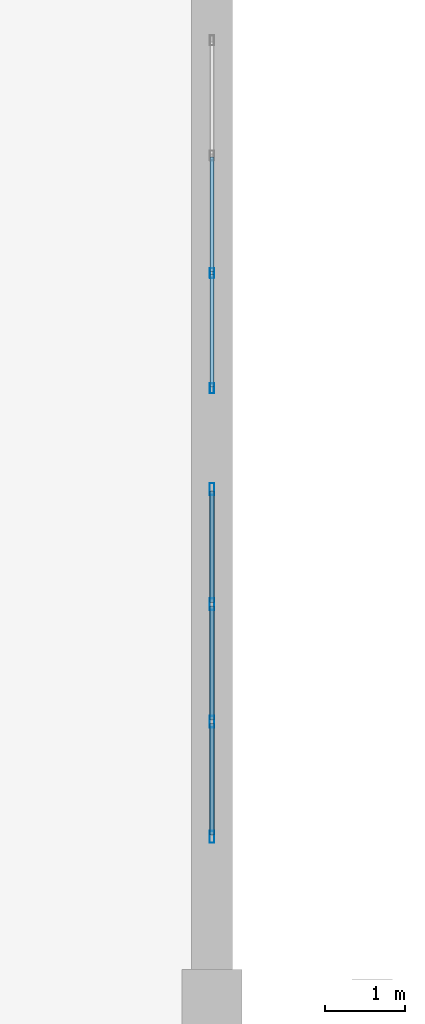
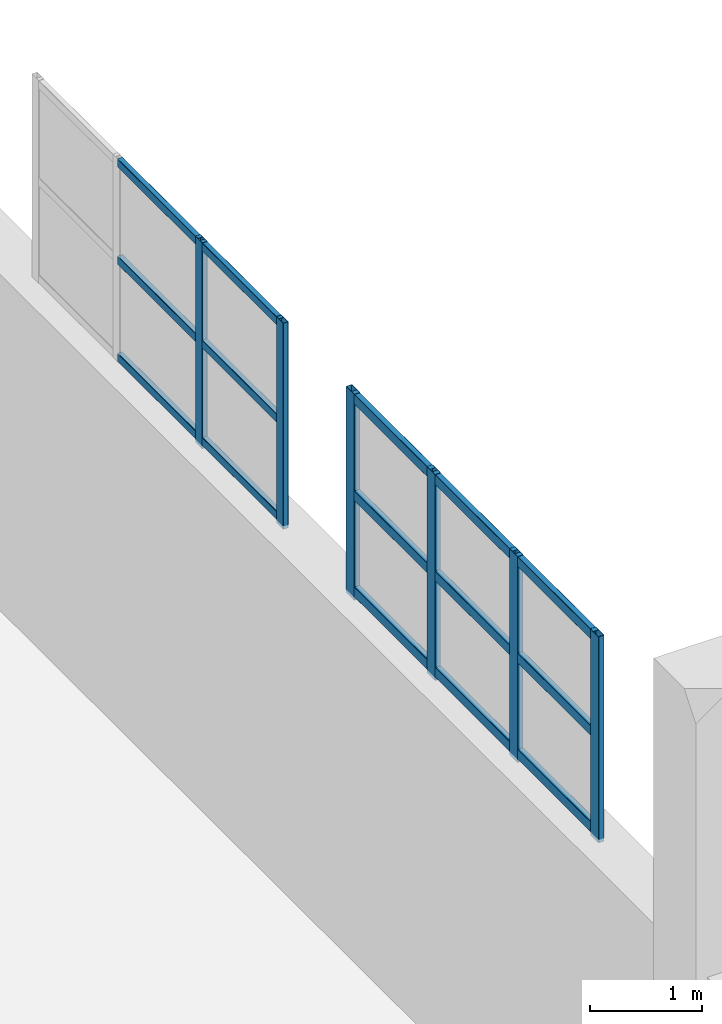
# One storey, part 139 of 197: 21 members, 2 elements without a shape of their own.
"""IFC4 building model written with IfcOpenShell, lengths in metres."""

from ifc_helpers import new_model, si_unit, derived_unit, direction, frame, origin, origin_2d, place, context, subcontext, project, spatial, hollow_rectangle, extrude, material, layer, layer_set, material_profile, profile_set, type_object, element, aggregate, save


model = new_model("IFC4")

# Units and contexts
model_context = context("Model", 3, precision=1e-05, world=origin(), true_north=direction((0.0, 1.0)))
body_context = subcontext(model_context, "Body", "Model", "MODEL_VIEW")
ifc_project = project(units=[si_unit("LENGTHUNIT", "METRE"), si_unit("AREAUNIT", "SQUARE_METRE"), si_unit("VOLUMEUNIT", "CUBIC_METRE"), si_unit("PLANEANGLEUNIT", "RADIAN"), si_unit("MASSUNIT", "GRAM", prefix="KILO"), derived_unit("THERMALTRANSMITTANCEUNIT", [(si_unit("POWERUNIT", "WATT"), 1), (si_unit("LENGTHUNIT", "METRE"), -2), (si_unit("THERMODYNAMICTEMPERATUREUNIT", "KELVIN"), -1)])], contexts=[model_context])

# Site, building, storey
site_placement = place(None, origin())
site = spatial("IfcSite", under=ifc_project, at=site_placement, CompositionType="ELEMENT")
building_placement = place(site_placement, origin())
building = spatial("IfcBuilding", under=site, at=building_placement, Name="Almenara Railside Exhibition Hall", CompositionType="ELEMENT")
storey_placement = place(building_placement, frame((0.0, 0.0, 5.39990234375)))
storey = spatial("IfcBuildingStorey", under=building, at=storey_placement, Name="L01", CompositionType="ELEMENT", Elevation=5.39990234375)

# Curtain wall, members
ifc_material_1 = material(Name="Bronze-anodised aluminium and low-E double glazing", Category="aluminium")
ifc_layer = layer(ifc_material_1, 0.179931640625, Name="Bronze-anodised aluminium and low-E double glazing")
ifc_layer_set = layer_set([ifc_layer], Name="Bronze-anodised aluminium and low-E double glazing")
curtain_wall_type = type_object("IfcCurtainWallType", Name="East Hall Clerestory Curtain Wall 4400x2300", PredefinedType="NOTDEFINED", material=ifc_layer_set)
curtain_wall_1_placement = place(storey_placement, origin())
curtain_wall_1 = element("IfcCurtainWall", 1, at=curtain_wall_1_placement, inside=storey, type_object=curtain_wall_type, Name="Curtain wall CW-CL3-078", PredefinedType="NOTDEFINED")
ifc_material_2 = material(Name="Bronze-anodised aluminium", Category="aluminium")
ifc_material_profile_1 = material_profile(ifc_material_2, hollow_rectangle(XDim=0.054931640625, YDim=0.125, WallThickness=0.0029296875, InnerFilletRadius=0.0029296875, OuterFilletRadius=0.006103515625, at=origin_2d()), Name="ALU-MUL 55x125x3")
ifc_profile_set_1 = profile_set([ifc_material_profile_1], Name="Bronze-anodised aluminium")
member_type_1 = type_object("IfcMemberType", Name="Curtain Wall Mullion 55x125x3", PredefinedType="MULLION", material=ifc_profile_set_1)
member_1_placement = place(storey_placement, frame((192.0, 125.62744140625, 3.614990234375), z_axis=(0.0, 0.0, 1.0), x_axis=(-1.0, 0.0, 0.0)))
member_1 = element("IfcMember", 2, at=member_1_placement, type_object=member_type_1, Name="CW-CL3-078 mullion 1", PredefinedType="MULLION", context=body_context, shape_type="SweptSolid", body=[
    extrude(hollow_rectangle(XDim=0.054931640625, YDim=0.125, WallThickness=0.0029296875, InnerFilletRadius=0.0029296875, OuterFilletRadius=0.006103515625, at=origin_2d()), origin(), (0.0, 0.0, 1.0), 2.235107421875),
])
member_2_placement = place(storey_placement, frame((192.0, 127.066650390625, 3.614990234375), z_axis=(0.0, 0.0, 1.0), x_axis=(-1.0, 0.0, 0.0)))
member_2 = element("IfcMember", 3, at=member_2_placement, type_object=member_type_1, Name="CW-CL3-078 mullion 2", PredefinedType="MULLION", context=body_context, shape_type="SweptSolid", body=[
    extrude(hollow_rectangle(XDim=0.054931640625, YDim=0.125, WallThickness=0.0029296875, InnerFilletRadius=0.0029296875, OuterFilletRadius=0.006103515625, at=origin_2d()), origin(), (0.0, 0.0, 1.0), 2.235107421875),
])

curtain_wall_2_placement = place(storey_placement, origin())
curtain_wall_2 = element("IfcCurtainWall", 4, at=curtain_wall_2_placement, inside=storey, type_object=curtain_wall_type, Name="Curtain wall CW-CL3-077", PredefinedType="NOTDEFINED")
ifc_material_profile_2 = material_profile(ifc_material_2, hollow_rectangle(XDim=0.06005859375, YDim=0.14990234375, WallThickness=0.00341796875, InnerFilletRadius=0.00341796875, OuterFilletRadius=0.007080078125, at=origin_2d()), Name="ALU-MUL 60x150x3.5")
ifc_profile_set_2 = profile_set([ifc_material_profile_2], Name="Bronze-anodised aluminium")
member_type_2 = type_object("IfcMemberType", Name="Curtain Wall Mullion 60x150x3.5", PredefinedType="MULLION", material=ifc_profile_set_2)
member_3_placement = place(storey_placement, frame((192.0, 120.030029296875, 3.614990234375), z_axis=(0.0, 0.0, 1.0), x_axis=(-1.0, 0.0, 0.0)))
member_3 = element("IfcMember", 5, at=member_3_placement, type_object=member_type_2, Name="CW-CL3-077 mullion 1", PredefinedType="MULLION", context=body_context, shape_type="SweptSolid", body=[
    extrude(hollow_rectangle(XDim=0.06005859375, YDim=0.14990234375, WallThickness=0.00341796875, InnerFilletRadius=0.00341796875, OuterFilletRadius=0.007080078125, at=origin_2d()), origin(), (0.0, 0.0, 1.0), 2.235107421875),
])
member_4_placement = place(storey_placement, frame((192.0, 121.466552734375, 3.614990234375), z_axis=(0.0, 0.0, 1.0), x_axis=(-1.0, 0.0, 0.0)))
member_4 = element("IfcMember", 6, at=member_4_placement, type_object=member_type_2, Name="CW-CL3-077 mullion 2", PredefinedType="MULLION", context=body_context, shape_type="SweptSolid", body=[
    extrude(hollow_rectangle(XDim=0.06005859375, YDim=0.14990234375, WallThickness=0.00341796875, InnerFilletRadius=0.00341796875, OuterFilletRadius=0.007080078125, at=origin_2d()), origin(), (0.0, 0.0, 1.0), 2.235107421875),
])
member_5_placement = place(storey_placement, frame((192.0, 122.933349609375, 3.614990234375), z_axis=(0.0, 0.0, 1.0), x_axis=(-1.0, 0.0, 0.0)))
member_5 = element("IfcMember", 7, at=member_5_placement, type_object=member_type_2, Name="CW-CL3-077 mullion 3", PredefinedType="MULLION", context=body_context, shape_type="SweptSolid", body=[
    extrude(hollow_rectangle(XDim=0.06005859375, YDim=0.14990234375, WallThickness=0.00341796875, InnerFilletRadius=0.00341796875, OuterFilletRadius=0.007080078125, at=origin_2d()), origin(), (0.0, 0.0, 1.0), 2.235107421875),
])
member_6_placement = place(storey_placement, frame((192.0, 124.3701171875, 3.614990234375), z_axis=(0.0, 0.0, 1.0), x_axis=(-1.0, 0.0, 0.0)))
member_6 = element("IfcMember", 8, at=member_6_placement, type_object=member_type_2, Name="CW-CL3-077 mullion 4", PredefinedType="MULLION", context=body_context, shape_type="SweptSolid", body=[
    extrude(hollow_rectangle(XDim=0.06005859375, YDim=0.14990234375, WallThickness=0.00341796875, InnerFilletRadius=0.00341796875, OuterFilletRadius=0.007080078125, at=origin_2d()), origin(), (0.0, 0.0, 1.0), 2.235107421875),
])

# Member
ifc_material_profile_3 = material_profile(ifc_material_2, hollow_rectangle(XDim=0.054931640625, YDim=0.090087890625, WallThickness=0.0029296875, InnerFilletRadius=0.0029296875, OuterFilletRadius=0.006103515625, at=origin_2d()), Name="ALU-TRN 55x90x3")
ifc_profile_set_3 = profile_set([ifc_material_profile_3], Name="Bronze-anodised aluminium")
member_type_3 = type_object("IfcMemberType", Name="Curtain Wall Transom 55x90x3", PredefinedType="USERDEFINED", material=ifc_profile_set_3)
member_7_placement = place(storey_placement, frame((192.0, 125.64697265625, 3.695068359375), z_axis=(0.0, 1.0, 0.0), x_axis=(-1.0, 0.0, 0.0)))
member_7 = element("IfcMember", 9, at=member_7_placement, type_object=member_type_3, Name="CW-CL3-078 transom 1.1", ObjectType="TRANSOM", PredefinedType="USERDEFINED", context=body_context, shape_type="SweptSolid", body=[
    extrude(hollow_rectangle(XDim=0.054931640625, YDim=0.090087890625, WallThickness=0.0029296875, InnerFilletRadius=0.0029296875, OuterFilletRadius=0.006103515625, at=origin_2d()), origin(), (0.0, 0.0, 1.0), 1.400146484375),
])

member_8_placement = place(storey_placement, frame((192.0, 125.64697265625, 4.75), z_axis=(0.0, 1.0, 0.0), x_axis=(-1.0, 0.0, 0.0)))
member_8 = element("IfcMember", 10, at=member_8_placement, type_object=member_type_3, Name="CW-CL3-078 transom 1.2", ObjectType="TRANSOM", PredefinedType="USERDEFINED", context=body_context, shape_type="SweptSolid", body=[
    extrude(hollow_rectangle(XDim=0.054931640625, YDim=0.090087890625, WallThickness=0.0029296875, InnerFilletRadius=0.0029296875, OuterFilletRadius=0.006103515625, at=origin_2d()), origin(), (0.0, 0.0, 1.0), 1.400146484375),
])

member_9_placement = place(storey_placement, frame((192.0, 125.64697265625, 5.80517578125), z_axis=(0.0, 1.0, 0.0), x_axis=(-1.0, 0.0, 0.0)))
member_9 = element("IfcMember", 11, at=member_9_placement, type_object=member_type_3, Name="CW-CL3-078 transom 1.3", ObjectType="TRANSOM", PredefinedType="USERDEFINED", context=body_context, shape_type="SweptSolid", body=[
    extrude(hollow_rectangle(XDim=0.054931640625, YDim=0.090087890625, WallThickness=0.0029296875, InnerFilletRadius=0.0029296875, OuterFilletRadius=0.006103515625, at=origin_2d()), origin(), (0.0, 0.0, 1.0), 1.400146484375),
])

member_10_placement = place(storey_placement, frame((192.0, 127.086181640625, 3.695068359375), z_axis=(0.0, 1.0, 0.0), x_axis=(-1.0, 0.0, 0.0)))
member_10 = element("IfcMember", 12, at=member_10_placement, type_object=member_type_3, Name="CW-CL3-078 transom 2.1", ObjectType="TRANSOM", PredefinedType="USERDEFINED", context=body_context, shape_type="SweptSolid", body=[
    extrude(hollow_rectangle(XDim=0.054931640625, YDim=0.090087890625, WallThickness=0.0029296875, InnerFilletRadius=0.0029296875, OuterFilletRadius=0.006103515625, at=origin_2d()), origin(), (0.0, 0.0, 1.0), 1.427734375),
])

member_11_placement = place(storey_placement, frame((192.0, 127.086181640625, 4.75), z_axis=(0.0, 1.0, 0.0), x_axis=(-1.0, 0.0, 0.0)))
member_11 = element("IfcMember", 13, at=member_11_placement, type_object=member_type_3, Name="CW-CL3-078 transom 2.2", ObjectType="TRANSOM", PredefinedType="USERDEFINED", context=body_context, shape_type="SweptSolid", body=[
    extrude(hollow_rectangle(XDim=0.054931640625, YDim=0.090087890625, WallThickness=0.0029296875, InnerFilletRadius=0.0029296875, OuterFilletRadius=0.006103515625, at=origin_2d()), origin(), (0.0, 0.0, 1.0), 1.427734375),
])

member_12_placement = place(storey_placement, frame((192.0, 127.086181640625, 5.80517578125), z_axis=(0.0, 1.0, 0.0), x_axis=(-1.0, 0.0, 0.0)))
member_12 = element("IfcMember", 14, at=member_12_placement, type_object=member_type_3, Name="CW-CL3-078 transom 2.3", ObjectType="TRANSOM", PredefinedType="USERDEFINED", context=body_context, shape_type="SweptSolid", body=[
    extrude(hollow_rectangle(XDim=0.054931640625, YDim=0.090087890625, WallThickness=0.0029296875, InnerFilletRadius=0.0029296875, OuterFilletRadius=0.006103515625, at=origin_2d()), origin(), (0.0, 0.0, 1.0), 1.427734375),
])

aggregate(curtain_wall_1, [member_1, member_2, member_7, member_8, member_9, member_10, member_11, member_12])

ifc_material_profile_4 = material_profile(ifc_material_2, hollow_rectangle(XDim=0.06005859375, YDim=0.110107421875, WallThickness=0.0029296875, InnerFilletRadius=0.0029296875, OuterFilletRadius=0.006103515625, at=origin_2d()), Name="ALU-TRN 60x110x3")
ifc_profile_set_4 = profile_set([ifc_material_profile_4], Name="Bronze-anodised aluminium")
member_type_4 = type_object("IfcMemberType", Name="Curtain Wall Transom 60x110x3", PredefinedType="USERDEFINED", material=ifc_profile_set_4)
member_13_placement = place(storey_placement, frame((192.0, 120.052001953125, 3.705078125), z_axis=(0.0, 1.0, 0.0), x_axis=(-1.0, 0.0, 0.0)))
member_13 = element("IfcMember", 15, at=member_13_placement, type_object=member_type_4, Name="CW-CL3-077 transom 1.1", ObjectType="TRANSOM", PredefinedType="USERDEFINED", context=body_context, shape_type="SweptSolid", body=[
    extrude(hollow_rectangle(XDim=0.06005859375, YDim=0.110107421875, WallThickness=0.0029296875, InnerFilletRadius=0.0029296875, OuterFilletRadius=0.006103515625, at=origin_2d()), origin(), (0.0, 0.0, 1.0), 1.392578125),
])

member_14_placement = place(storey_placement, frame((192.0, 120.052001953125, 4.75), z_axis=(0.0, 1.0, 0.0), x_axis=(-1.0, 0.0, 0.0)))
member_14 = element("IfcMember", 16, at=member_14_placement, type_object=member_type_4, Name="CW-CL3-077 transom 1.2", ObjectType="TRANSOM", PredefinedType="USERDEFINED", context=body_context, shape_type="SweptSolid", body=[
    extrude(hollow_rectangle(XDim=0.06005859375, YDim=0.110107421875, WallThickness=0.0029296875, InnerFilletRadius=0.0029296875, OuterFilletRadius=0.006103515625, at=origin_2d()), origin(), (0.0, 0.0, 1.0), 1.392578125),
])

member_15_placement = place(storey_placement, frame((192.0, 120.052001953125, 5.795166015625), z_axis=(0.0, 1.0, 0.0), x_axis=(-1.0, 0.0, 0.0)))
member_15 = element("IfcMember", 17, at=member_15_placement, type_object=member_type_4, Name="CW-CL3-077 transom 1.3", ObjectType="TRANSOM", PredefinedType="USERDEFINED", context=body_context, shape_type="SweptSolid", body=[
    extrude(hollow_rectangle(XDim=0.06005859375, YDim=0.110107421875, WallThickness=0.0029296875, InnerFilletRadius=0.0029296875, OuterFilletRadius=0.006103515625, at=origin_2d()), origin(), (0.0, 0.0, 1.0), 1.392578125),
])

member_16_placement = place(storey_placement, frame((192.0, 121.48876953125, 3.705078125), z_axis=(0.0, 1.0, 0.0), x_axis=(-1.0, 0.0, 0.0)))
member_16 = element("IfcMember", 18, at=member_16_placement, type_object=member_type_4, Name="CW-CL3-077 transom 2.1", ObjectType="TRANSOM", PredefinedType="USERDEFINED", context=body_context, shape_type="SweptSolid", body=[
    extrude(hollow_rectangle(XDim=0.06005859375, YDim=0.110107421875, WallThickness=0.0029296875, InnerFilletRadius=0.0029296875, OuterFilletRadius=0.006103515625, at=origin_2d()), origin(), (0.0, 0.0, 1.0), 1.422607421875),
])

member_17_placement = place(storey_placement, frame((192.0, 121.48876953125, 4.75), z_axis=(0.0, 1.0, 0.0), x_axis=(-1.0, 0.0, 0.0)))
member_17 = element("IfcMember", 19, at=member_17_placement, type_object=member_type_4, Name="CW-CL3-077 transom 2.2", ObjectType="TRANSOM", PredefinedType="USERDEFINED", context=body_context, shape_type="SweptSolid", body=[
    extrude(hollow_rectangle(XDim=0.06005859375, YDim=0.110107421875, WallThickness=0.0029296875, InnerFilletRadius=0.0029296875, OuterFilletRadius=0.006103515625, at=origin_2d()), origin(), (0.0, 0.0, 1.0), 1.422607421875),
])

member_18_placement = place(storey_placement, frame((192.0, 121.48876953125, 5.795166015625), z_axis=(0.0, 1.0, 0.0), x_axis=(-1.0, 0.0, 0.0)))
member_18 = element("IfcMember", 20, at=member_18_placement, type_object=member_type_4, Name="CW-CL3-077 transom 2.3", ObjectType="TRANSOM", PredefinedType="USERDEFINED", context=body_context, shape_type="SweptSolid", body=[
    extrude(hollow_rectangle(XDim=0.06005859375, YDim=0.110107421875, WallThickness=0.0029296875, InnerFilletRadius=0.0029296875, OuterFilletRadius=0.006103515625, at=origin_2d()), origin(), (0.0, 0.0, 1.0), 1.422607421875),
])

member_19_placement = place(storey_placement, frame((192.0, 122.955322265625, 3.705078125), z_axis=(0.0, 1.0, 0.0), x_axis=(-1.0, 0.0, 0.0)))
member_19 = element("IfcMember", 21, at=member_19_placement, type_object=member_type_4, Name="CW-CL3-077 transom 3.1", ObjectType="TRANSOM", PredefinedType="USERDEFINED", context=body_context, shape_type="SweptSolid", body=[
    extrude(hollow_rectangle(XDim=0.06005859375, YDim=0.110107421875, WallThickness=0.0029296875, InnerFilletRadius=0.0029296875, OuterFilletRadius=0.006103515625, at=origin_2d()), origin(), (0.0, 0.0, 1.0), 1.392578125),
])

member_20_placement = place(storey_placement, frame((192.0, 122.955322265625, 4.75), z_axis=(0.0, 1.0, 0.0), x_axis=(-1.0, 0.0, 0.0)))
member_20 = element("IfcMember", 22, at=member_20_placement, type_object=member_type_4, Name="CW-CL3-077 transom 3.2", ObjectType="TRANSOM", PredefinedType="USERDEFINED", context=body_context, shape_type="SweptSolid", body=[
    extrude(hollow_rectangle(XDim=0.06005859375, YDim=0.110107421875, WallThickness=0.0029296875, InnerFilletRadius=0.0029296875, OuterFilletRadius=0.006103515625, at=origin_2d()), origin(), (0.0, 0.0, 1.0), 1.392578125),
])

member_21_placement = place(storey_placement, frame((192.0, 122.955322265625, 5.795166015625), z_axis=(0.0, 1.0, 0.0), x_axis=(-1.0, 0.0, 0.0)))
member_21 = element("IfcMember", 23, at=member_21_placement, type_object=member_type_4, Name="CW-CL3-077 transom 3.3", ObjectType="TRANSOM", PredefinedType="USERDEFINED", context=body_context, shape_type="SweptSolid", body=[
    extrude(hollow_rectangle(XDim=0.06005859375, YDim=0.110107421875, WallThickness=0.0029296875, InnerFilletRadius=0.0029296875, OuterFilletRadius=0.006103515625, at=origin_2d()), origin(), (0.0, 0.0, 1.0), 1.392578125),
])

aggregate(curtain_wall_2, [member_3, member_4, member_5, member_6, member_13, member_14, member_15, member_16, member_17, member_18, member_19, member_20, member_21])

save(model, "model.ifc")
